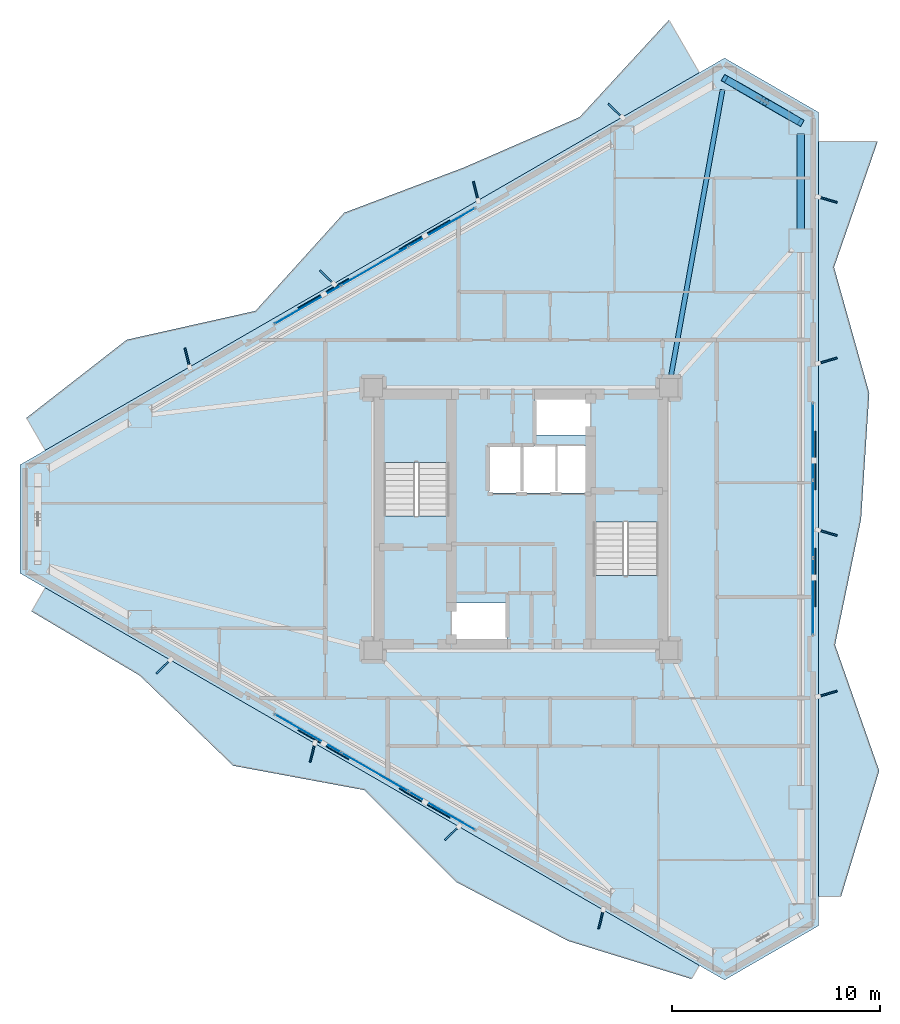
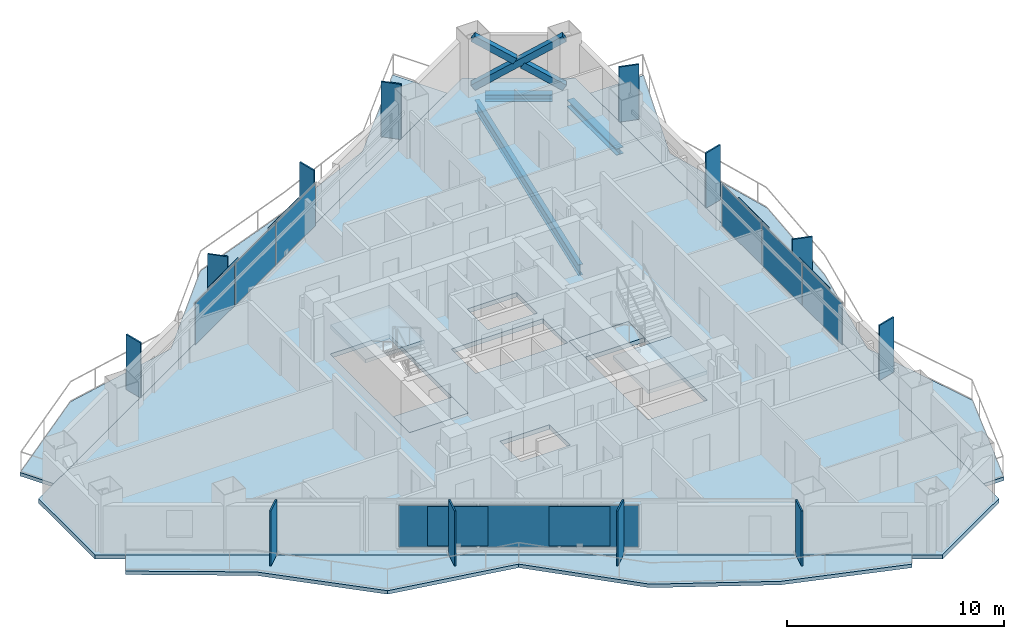
# One storey, part 14 of 22: 27 plates, 8 slabs, 3 beams, 3 members, 5 elements without a shape of their own.
"""IFC4 building model written with IfcOpenShell, lengths in metres."""

from ifc_helpers import new_model, si_unit, direction, frame, origin, origin_2d, place, context, subcontext, project, spatial, polyline, rectangle, hollow_rectangle, i_section, outline, extrude, material, layer, layer_set, material_profile, profile_set, type_object, element, aggregate, save


model = new_model("IFC4")

# Units and contexts
model_context = context("Model", 3, precision=1e-05, world=origin(), true_north=direction((0.0, 1.0)))
body_context = subcontext(model_context, "Body", "Model", "MODEL_VIEW")
ifc_project = project(units=[si_unit("LENGTHUNIT", "METRE"), si_unit("AREAUNIT", "SQUARE_METRE"), si_unit("VOLUMEUNIT", "CUBIC_METRE"), si_unit("PLANEANGLEUNIT", "RADIAN"), si_unit("MASSUNIT", "GRAM", prefix="KILO")], contexts=[model_context])

# Site, building, storey
site_placement = place(None, origin())
site = spatial("IfcSite", under=ifc_project, at=site_placement, CompositionType="ELEMENT")
building_placement = place(site_placement, origin())
building = spatial("IfcBuilding", under=site, at=building_placement, Name="Mersakhor Tower and Convention Hall", CompositionType="ELEMENT")
storey_placement = place(building_placement, frame((0.0, 0.0, 90.0)))
storey = spatial("IfcBuildingStorey", under=building, at=storey_placement, Name="L24", CompositionType="ELEMENT", Elevation=90.0)

# Beams
ifc_material_1 = material(Name="Steel S355", Category="steel")
ifc_material_profile_1 = material_profile(ifc_material_1, i_section(OverallWidth=0.22900390625, OverallDepth=0.6123046875, WebThickness=0.011962890625, FlangeThickness=0.01953125, at=origin_2d()), Name="UB 610x229x125")
ifc_profile_set_1 = profile_set([ifc_material_profile_1], Name="Steel S355")
beam_type_1 = type_object("IfcBeamType", Name="BM-PR-610", PredefinedType="BEAM", material=ifc_profile_set_1)
beam_1_placement = place(storey_placement, frame((36.17626953125, 33.47314453125, -0.55615234375), z_axis=(0.177414716723, 0.984136178732, 0.0), x_axis=(-0.984136178732, 0.177414716723, 0.0)))
element("IfcBeam", 1, at=beam_1_placement, inside=storey, type_object=beam_type_1, Name="L24 Primary Floor Girder FG-2", PredefinedType="BEAM", context=body_context, shape_type="SweptSolid", body=[
    extrude(i_section(OverallWidth=0.22900390625, OverallDepth=0.6123046875, WebThickness=0.011962890625, FlangeThickness=0.01953125, at=origin_2d()), origin(), (0.0, 0.0, 1.0), 14.11328125),
])
ifc_material_2 = material(Name="Steel S355", Category="steel")
ifc_material_profile_2 = material_profile(ifc_material_2, i_section(OverallWidth=0.374755859375, OverallDepth=0.37451171875, WebThickness=0.0166015625, FlangeThickness=0.027099609375, at=origin_2d()), Name="UC 356x368x202")
ifc_profile_set_2 = profile_set([ifc_material_profile_2], Name="Steel S355")
beam_type_2 = type_object("IfcBeamType", Name="BM-SPD-UC356", PredefinedType="SPANDREL", material=ifc_profile_set_2)
beam_2_placement = place(storey_placement, frame((39.25927734375, 47.631103515625, -0.437255859375), z_axis=(0.866052319632, -0.499953377486, 0.0), x_axis=(0.499953377486, 0.866052319632, 0.0)))
element("IfcBeam", 2, at=beam_2_placement, inside=storey, type_object=beam_type_2, Name="L24 Perimeter Spandrel Beam SPB-04", PredefinedType="SPANDREL", context=body_context, shape_type="SweptSolid", body=[
    extrude(i_section(OverallWidth=0.374755859375, OverallDepth=0.37451171875, WebThickness=0.0166015625, FlangeThickness=0.027099609375, at=origin_2d()), origin(), (0.0, 0.0, 1.0), 3.111572265625),
])
beam_3_placement = place(storey_placement, frame((42.4345703125, 45.242919921875, -0.437255859375), z_axis=(0.0, -1.0, 0.0), x_axis=(1.0, 0.0, 0.0)))
element("IfcBeam", 3, at=beam_3_placement, inside=storey, type_object=beam_type_2, Name="L24 Perimeter Spandrel Beam SPB-05", PredefinedType="SPANDREL", context=body_context, shape_type="SweptSolid", body=[
    extrude(i_section(OverallWidth=0.374755859375, OverallDepth=0.37451171875, WebThickness=0.0166015625, FlangeThickness=0.027099609375, at=origin_2d()), origin(), (0.0, 0.0, 1.0), 4.566162109375),
])

# Members
ifc_material_3 = material(Name="Steel S460", Category="steel")
ifc_material_profile_3 = material_profile(ifc_material_3, hollow_rectangle(XDim=0.35009765625, YDim=0.35009765625, WallThickness=0.02001953125, at=origin_2d()), Name="SHS 350x350x20")
ifc_profile_set_3 = profile_set([ifc_material_profile_3], Name="Steel S460")
member_type = type_object("IfcMemberType", Name="MB-BRC-SHS350", PredefinedType="BRACE", material=ifc_profile_set_3)
member_1_placement = place(storey_placement, frame((38.77880859375, 47.90869140625, 0.14990234375), z_axis=(0.725633725484, -0.418933054415, 0.545848689986), x_axis=(0.49998946241, 0.866031487579, 0.0)))
element("IfcMember", 4, at=member_1_placement, inside=storey, type_object=member_type, Name="L24 Chamfer Braced Frame Diagonal CB-1A", PredefinedType="BRACE", context=body_context, shape_type="SweptSolid", body=[
    extrude(hollow_rectangle(XDim=0.35009765625, YDim=0.35009765625, WallThickness=0.02001953125, at=origin_2d()), origin(), (0.0, 0.0, 1.0), 5.0380859375),
])
member_2_placement = place(storey_placement, frame((42.4345703125, 45.798095703125, 0.14990234375), z_axis=(-0.725643177862, 0.418862922102, 0.545889943955), x_axis=(-0.499921796684, -0.866070549782, 0.0)))
element("IfcMember", 5, at=member_2_placement, inside=storey, type_object=member_type, Name="L24 Chamfer Braced Frame Diagonal CB-1B Lower Half", PredefinedType="BRACE", context=body_context, shape_type="SweptSolid", body=[
    extrude(hollow_rectangle(XDim=0.35009765625, YDim=0.35009765625, WallThickness=0.02001953125, at=origin_2d()), origin(), (0.0, 0.0, 1.0), 2.31982421875),
])
member_3_placement = place(storey_placement, frame((40.4619140625, 46.93701171875, 1.6337890625), z_axis=(-0.725635037856, 0.418918980369, 0.545857746783), x_axis=(-0.499976186015, -0.866039152359, 0.0)))
element("IfcMember", 6, at=member_3_placement, inside=storey, type_object=member_type, Name="L24 Chamfer Braced Frame Diagonal CB-1B Upper Half", PredefinedType="BRACE", context=body_context, shape_type="SweptSolid", body=[
    extrude(hollow_rectangle(XDim=0.35009765625, YDim=0.35009765625, WallThickness=0.02001953125, at=origin_2d()), origin(), (0.0, 0.0, 1.0), 2.319580078125),
])

# Curtain wall, plates
ifc_material_4 = material(Name="Dark solar low-E aluminium curtain wall", Category="aluminium")
ifc_layer_1 = layer(ifc_material_4, 0.159912109375)
ifc_layer_set_1 = layer_set([ifc_layer_1], Name="Dark solar low-E aluminium curtain wall")
curtain_wall_type = type_object("IfcCurtainWallType", Name="CW-SYS-01", PredefinedType="USERDEFINED", material=ifc_layer_set_1)
curtain_wall_1_placement = place(storey_placement, origin())
curtain_wall_1 = element("IfcCurtainWall", 7, at=curtain_wall_1_placement, inside=storey, type_object=curtain_wall_type, Name="L24 Dark-Glass Curtain Wall F1-B2", ObjectType="CURTAIN WALL", PredefinedType="USERDEFINED")
ifc_material_5 = material(Name="Dark solar double glazing", Category="glass")
ifc_layer_2 = layer(ifc_material_5, 0.02392578125)
ifc_layer_set_2 = layer_set([ifc_layer_2], Name="Dark solar double glazing")
plate_type_1 = type_object("IfcPlateType", Name="CWP-GLZ-24", PredefinedType="CURTAIN_PANEL", material=ifc_layer_set_2)
plate_1_placement = place(storey_placement, frame((18.75732421875, 37.042236328125, 0.260009765625), z_axis=(0.0, 0.0, 1.0), x_axis=(0.866026613339, 0.499997904985, 0.0)))
plate_1 = element("IfcPlate", 8, at=plate_1_placement, type_object=plate_type_1, Name="CW-01 panel 1.1", PredefinedType="CURTAIN_PANEL", context=body_context, shape_type="SweptSolid", body=[
    extrude(rectangle(XDim=3.630615234375, YDim=0.02392578125, at=origin_2d()), origin(), (0.0, 0.0, 1.0), 2.35009765625),
])
plate_2_placement = place(storey_placement, frame((21.982666015625, 38.904296875, 0.260009765625), z_axis=(0.0, 0.0, 1.0), x_axis=(0.866026613339, 0.499997904985, 0.0)))
plate_2 = element("IfcPlate", 9, at=plate_2_placement, type_object=plate_type_1, Name="CW-01 panel 2.1", PredefinedType="CURTAIN_PANEL", context=body_context, shape_type="SweptSolid", body=[
    extrude(rectangle(XDim=3.668212890625, YDim=0.02392578125, at=origin_2d()), origin(), (0.0, 0.0, 1.0), 2.35009765625),
])
plate_3_placement = place(storey_placement, frame((25.2080078125, 40.7666015625, 0.260009765625), z_axis=(0.0, 0.0, 1.0), x_axis=(0.866026613339, 0.499997904985, 0.0)))
plate_3 = element("IfcPlate", 10, at=plate_3_placement, type_object=plate_type_1, Name="CW-01 panel 3.1", PredefinedType="CURTAIN_PANEL", context=body_context, shape_type="SweptSolid", body=[
    extrude(rectangle(XDim=3.630615234375, YDim=0.02392578125, at=origin_2d()), origin(), (0.0, 0.0, 1.0), 2.35009765625),
])
aggregate(curtain_wall_1, [plate_1, plate_2, plate_3])

curtain_wall_2_placement = place(storey_placement, origin())
curtain_wall_2 = element("IfcCurtainWall", 11, at=curtain_wall_2_placement, inside=storey, type_object=curtain_wall_type, Name="L24 Dark-Glass Curtain Wall F2-B2", ObjectType="CURTAIN WALL", PredefinedType="USERDEFINED")
plate_4_placement = place(storey_placement, frame((43.03466796875, 30.474365234375, 0.260009765625), z_axis=(0.0, 0.0, 1.0), x_axis=(0.0, -1.0, 0.0)))
plate_4 = element("IfcPlate", 12, at=plate_4_placement, type_object=plate_type_1, Name="CW-01 panel 1.1", PredefinedType="CURTAIN_PANEL", context=body_context, shape_type="SweptSolid", body=[
    extrude(rectangle(XDim=3.630615234375, YDim=0.02392578125, at=origin_2d()), origin(), (0.0, 0.0, 1.0), 2.35009765625),
])
plate_5_placement = place(storey_placement, frame((43.03466796875, 26.75, 0.260009765625), z_axis=(0.0, 0.0, 1.0), x_axis=(0.0, -1.0, 0.0)))
plate_5 = element("IfcPlate", 13, at=plate_5_placement, type_object=plate_type_1, Name="CW-01 panel 2.1", PredefinedType="CURTAIN_PANEL", context=body_context, shape_type="SweptSolid", body=[
    extrude(rectangle(XDim=3.668212890625, YDim=0.02392578125, at=origin_2d()), origin(), (0.0, 0.0, 1.0), 2.35009765625),
])
plate_6_placement = place(storey_placement, frame((43.03466796875, 23.025634765625, 0.260009765625), z_axis=(0.0, 0.0, 1.0), x_axis=(0.0, -1.0, 0.0)))
plate_6 = element("IfcPlate", 14, at=plate_6_placement, type_object=plate_type_1, Name="CW-01 panel 3.1", PredefinedType="CURTAIN_PANEL", context=body_context, shape_type="SweptSolid", body=[
    extrude(rectangle(XDim=3.630615234375, YDim=0.02392578125, at=origin_2d()), origin(), (0.0, 0.0, 1.0), 2.35009765625),
])
aggregate(curtain_wall_2, [plate_4, plate_5, plate_6])

curtain_wall_3_placement = place(storey_placement, origin())
curtain_wall_3 = element("IfcCurtainWall", 15, at=curtain_wall_3_placement, inside=storey, type_object=curtain_wall_type, Name="L24 Dark-Glass Curtain Wall F3-B2", ObjectType="CURTAIN WALL", PredefinedType="USERDEFINED")
plate_7_placement = place(storey_placement, frame((25.2080078125, 12.7333984375, 0.260009765625), z_axis=(0.0, 0.0, 1.0), x_axis=(-0.866026613339, 0.499997904985, 0.0)))
plate_7 = element("IfcPlate", 16, at=plate_7_placement, type_object=plate_type_1, Name="CW-01 panel 1.1", PredefinedType="CURTAIN_PANEL", context=body_context, shape_type="SweptSolid", body=[
    extrude(rectangle(XDim=3.630615234375, YDim=0.02392578125, at=origin_2d()), origin(), (0.0, 0.0, 1.0), 2.35009765625),
])
plate_8_placement = place(storey_placement, frame((21.982666015625, 14.595703125, 0.260009765625), z_axis=(0.0, 0.0, 1.0), x_axis=(-0.866026613339, 0.499997904985, 0.0)))
plate_8 = element("IfcPlate", 17, at=plate_8_placement, type_object=plate_type_1, Name="CW-01 panel 2.1", PredefinedType="CURTAIN_PANEL", context=body_context, shape_type="SweptSolid", body=[
    extrude(rectangle(XDim=3.668212890625, YDim=0.02392578125, at=origin_2d()), origin(), (0.0, 0.0, 1.0), 2.35009765625),
])
plate_9_placement = place(storey_placement, frame((18.75732421875, 16.457763671875, 0.260009765625), z_axis=(0.0, 0.0, 1.0), x_axis=(-0.866026613339, 0.499997904985, 0.0)))
plate_9 = element("IfcPlate", 18, at=plate_9_placement, type_object=plate_type_1, Name="CW-01 panel 3.1", PredefinedType="CURTAIN_PANEL", context=body_context, shape_type="SweptSolid", body=[
    extrude(rectangle(XDim=3.630615234375, YDim=0.02392578125, at=origin_2d()), origin(), (0.0, 0.0, 1.0), 2.35009765625),
])
aggregate(curtain_wall_3, [plate_7, plate_8, plate_9])

# Plates
ifc_material_6 = material(Name="Ceramic-clad aluminium Zone 2 emerald-teal", Category="aluminium")
ifc_material_7 = material(Name="Ceramic-clad aluminium Zone 1 cobalt-slate", Category="masonry")
ifc_layer_3 = layer(ifc_material_7, 0.080078125)
ifc_layer_set_3 = layer_set([ifc_layer_3], Name="Ceramic-clad aluminium Zone 1 cobalt-slate")
plate_type_2 = type_object("IfcPlateType", Name="PL-FIN-80", PredefinedType="USERDEFINED", material=ifc_layer_set_3)
for number, where, z_axis, x_axis, name in (
    (19, (12.972412109375, 34.4951171875, 0.0), (0.0, 0.0, 1.0), (-0.2419218956, 0.970295726276, 0.0), "L24 Zone 2 Coloured Brise-Soleil Fin F1-1"),
    (20, (19.673828125, 38.364013671875, 0.0), (0.0, 0.0, 1.0), (-0.719339800339, 0.694658370459, 0.0), "L24 Zone 2 Coloured Brise-Soleil Fin F1-2"),
    (21, (26.828857421875, 42.4951171875, 0.0), (0.0, 0.0, 1.0), (-0.2419218956, 0.970295726276, 0.0), "L24 Zone 2 Coloured Brise-Soleil Fin F1-3"),
    (22, (33.5302734375, 46.364013671875, 0.0), (0.0, 0.0, 1.0), (-0.719339800339, 0.694658370459, 0.0), "L24 Zone 2 Coloured Brise-Soleil Fin F1-4"),
    (23, (43.72119140625, 42.091064453125, 0.0), (0.0, 0.0, 1.0), (0.961261695938, -0.275637355817, 0.0), "L24 Zone 2 Coloured Brise-Soleil Fin F2-1"),
    (24, (43.72119140625, 34.35302734375, 0.0), (0.0, 0.0, 1.0), (0.961261695938, 0.275637355817, 0.0), "L24 Zone 2 Coloured Brise-Soleil Fin F2-2"),
    (25, (43.72119140625, 26.091064453125, 0.0), (0.0, 0.0, 1.0), (0.961261695938, -0.275637355817, 0.0), "L24 Zone 2 Coloured Brise-Soleil Fin F2-3"),
    (26, (43.72119140625, 18.35302734375, 0.0), (0.0, 0.0, 1.0), (0.961261695938, 0.275637355817, 0.0), "L24 Zone 2 Coloured Brise-Soleil Fin F2-4"),
    (27, (32.842529296875, 7.532958984375, 0.0), (0.0, 0.0, 1.0), (-0.2419218956, -0.970295726276, 0.0), "L24 Zone 2 Coloured Brise-Soleil Fin F3-1"),
    (28, (25.6875, 11.663818359375, 0.0), (0.0, 0.0, 1.0), (-0.719339800339, -0.694658370459, 0.0), "L24 Zone 2 Coloured Brise-Soleil Fin F3-2"),
    (29, (18.986083984375, 15.532958984375, 0.0), (0.0, 0.0, 1.0), (-0.2419218956, -0.970295726276, 0.0), "L24 Zone 2 Coloured Brise-Soleil Fin F3-3"),
    (30, (11.831298828125, 19.663818359375, 0.0), (0.0, 0.0, 1.0), (-0.719339800339, -0.694658370459, 0.0), "L24 Zone 2 Coloured Brise-Soleil Fin F3-4"),
):
    element("IfcPlate", number, at=place(storey_placement, frame(where, z_axis=z_axis, x_axis=x_axis)), inside=storey, type_object=plate_type_2, material=ifc_material_6, Name=name, ObjectType="FIN", PredefinedType="USERDEFINED", context=body_context, shape_type="SweptSolid", body=[
        extrude(rectangle(XDim=0.949951171875, YDim=0.080078125, at=origin_2d()), origin(), (0.0, 0.0, 1.0), 3.10009765625),
    ])
ifc_material_8 = material(Name="Perforated ceramic cobogo solar screen", Category="aluminium")
ifc_layer_4 = layer(ifc_material_8, 0.048095703125)
ifc_layer_set_4 = layer_set([ifc_layer_4], Name="Perforated ceramic cobogo solar screen")
plate_type_3 = type_object("IfcPlateType", Name="PL-SCR-48", PredefinedType="USERDEFINED", material=ifc_layer_set_4)
for number, where, z_axis, x_axis, name in (
    (31, (19.50439453125, 37.58203125, 0.39990234375), (0.0, 0.0, 1.0), (0.866025403784, 0.5, 0.0), "L24 Perforated Ceramic Solar Screen F1-1"),
    (32, (24.366943359375, 40.389404296875, 0.39990234375), (0.0, 0.0, 1.0), (0.866025403784, 0.5, 0.0), "L24 Perforated Ceramic Solar Screen F1-2"),
    (33, (43.128662109375, 29.557373046875, 0.39990234375), (0.0, 0.0, 1.0), (0.0, -1.0, 0.0), "L24 Perforated Ceramic Solar Screen F2-1"),
    (34, (43.128662109375, 23.942626953125, 0.39990234375), (0.0, 0.0, 1.0), (0.0, -1.0, 0.0), "L24 Perforated Ceramic Solar Screen F2-2"),
    (35, (24.366943359375, 13.110595703125, 0.39990234375), (0.0, 0.0, 1.0), (-0.866025403784, 0.5, 0.0), "L24 Perforated Ceramic Solar Screen F3-1"),
    (36, (19.50439453125, 15.91796875, 0.39990234375), (0.0, 0.0, 1.0), (-0.866025403784, 0.5, 0.0), "L24 Perforated Ceramic Solar Screen F3-2"),
):
    element("IfcPlate", number, at=place(storey_placement, frame(where, z_axis=z_axis, x_axis=x_axis)), inside=storey, type_object=plate_type_3, Name=name, ObjectType="SCREEN", PredefinedType="USERDEFINED", context=body_context, shape_type="SweptSolid", body=[
        extrude(rectangle(XDim=2.800048828125, YDim=0.048095703125, at=origin_2d()), origin(), (0.0, 0.0, 1.0), 2.219970703125),
    ])

# Slabs
ifc_material_9 = material(Name="Concrete C45/55", Category="concrete")
ifc_layer_5 = layer(ifc_material_9, 0.199951171875)
ifc_layer_set_5 = layer_set([ifc_layer_5], Name="Concrete C45/55")
slab_type_1 = type_object("IfcSlabType", Name="SL-BAL-200", PredefinedType="FLOOR", material=ifc_layer_set_5)
slab_1_placement = place(storey_placement, frame((0.0, 0.0, -0.199951171875)))
element("IfcSlab", 37, at=slab_1_placement, inside=storey, type_object=slab_type_1, Name="L24 Sinusoidal Balcony Slab Face 1", PredefinedType="FLOOR", context=body_context, shape_type="SweptSolid", body=[
    extrude(outline(polyline([(6.149169921875, 30.051513671875), (37.56640625, 48.190185546875), (36.106201171875, 50.718994140625), (31.8173828125, 46.05517578125), (26.23779296875, 43.626708984375), (20.507080078125, 41.4599609375), (16.24658203125, 36.747314453125), (10.0654296875, 35.36083984375), (5.2490234375, 31.6103515625), (6.149169921875, 30.051513671875)])), origin(), (0.0, 0.0, 1.0), 0.199951171875),
])
slab_2_placement = place(storey_placement, frame((0.0, 0.0, -0.199951171875)))
element("IfcSlab", 38, at=slab_2_placement, inside=storey, type_object=slab_type_1, Name="L24 Sinusoidal Balcony Slab Face 2", PredefinedType="FLOOR", context=body_context, shape_type="SweptSolid", body=[
    extrude(outline(polyline([(43.28466796875, 44.888671875), (43.28466796875, 8.611328125), (44.369384765625, 8.611328125), (46.20458984375, 14.657470703125), (44.08349609375, 20.703857421875), (45.333740234375, 26.75), (45.727294921875, 32.796142578125), (44.03466796875, 38.842529296875), (46.132568359375, 44.888671875), (43.28466796875, 44.888671875)])), origin(), (0.0, 0.0, 1.0), 0.199951171875),
])
slab_3_placement = place(storey_placement, frame((0.0, 0.0, -0.199951171875)))
element("IfcSlab", 39, at=slab_3_placement, inside=storey, type_object=slab_type_1, Name="L24 Sinusoidal Balcony Slab Face 3", PredefinedType="FLOOR", context=body_context, shape_type="SweptSolid", body=[
    extrude(outline(polyline([(37.56640625, 5.309814453125), (6.149169921875, 23.448486328125), (5.492919921875, 22.311767578125), (10.694091796875, 19.228515625), (15.177001953125, 14.900390625), (21.482666015625, 13.7294921875), (25.91064453125, 9.306396484375), (31.262939453125, 6.484619140625), (37.190185546875, 4.658447265625), (37.56640625, 5.309814453125)])), origin(), (0.0, 0.0, 1.0), 0.199951171875),
])
ifc_material_10 = material(Name="Concrete C40/50", Category="concrete")
ifc_layer_6 = layer(ifc_material_10, 0.25)
ifc_layer_set_6 = layer_set([ifc_layer_6], Name="Concrete C40/50")
slab_type_2 = type_object("IfcSlabType", Name="SL-FLR-250", PredefinedType="FLOOR", material=ifc_layer_set_6)
slab_4_placement = place(storey_placement, frame((0.0, 0.0, -0.25)))
element("IfcSlab", 40, at=slab_4_placement, inside=storey, type_object=slab_type_2, Name="L24 ST-1 Structural Stair Floor Landing", PredefinedType="LANDING", context=body_context, shape_type="SweptSolid", body=[
    extrude(outline(polyline([(25.550048828125, 25.39990234375), (25.550048828125, 26.89990234375), (22.39990234375, 26.89990234375), (22.39990234375, 25.39990234375), (25.550048828125, 25.39990234375)])), origin(), (0.0, 0.0, 1.0), 0.25),
])
slab_5_placement = place(storey_placement, frame((0.0, 0.0, -0.25)))
element("IfcSlab", 41, at=slab_5_placement, inside=storey, type_object=slab_type_2, Name="L24 ST-2 Structural Stair Floor Landing", PredefinedType="LANDING", context=body_context, shape_type="SweptSolid", body=[
    extrude(outline(polyline([(32.449951171875, 28.10009765625), (32.449951171875, 26.60009765625), (35.60009765625, 26.60009765625), (35.60009765625, 28.10009765625), (32.449951171875, 28.10009765625)])), origin(), (0.0, 0.0, 1.0), 0.25),
])
slab_6_placement = place(storey_placement, frame((0.0, 0.0, -0.25)))
element("IfcSlab", 42, at=slab_6_placement, inside=storey, type_object=slab_type_2, Name="Tower L24 Structural Floor Slab", PredefinedType="FLOOR", context=body_context, shape_type="SweptSolid", body=[
    extrude(outline(polyline([(4.936767578125, 29.3515625), (38.77880859375, 48.89013671875), (43.28466796875, 46.288818359375), (43.28466796875, 7.211181640625), (38.77880859375, 4.60986328125), (4.936767578125, 24.1484375), (4.936767578125, 29.3515625)]), holes=[polyline([(25.550048828125, 25.39990234375), (25.550048828125, 32.699951171875), (22.39990234375, 32.699951171875), (22.39990234375, 25.39990234375), (25.550048828125, 25.39990234375)]), polyline([(32.449951171875, 28.10009765625), (32.449951171875, 20.800048828125), (35.60009765625, 20.800048828125), (35.60009765625, 28.10009765625), (32.449951171875, 28.10009765625)]), polyline([(25.679931640625, 20.820068359375), (25.679931640625, 22.719970703125), (28.320068359375, 22.719970703125), (28.320068359375, 20.820068359375), (25.679931640625, 20.820068359375)]), polyline([(29.679931640625, 30.780029296875), (29.679931640625, 32.679931640625), (32.320068359375, 32.679931640625), (32.320068359375, 30.780029296875), (29.679931640625, 30.780029296875)]), polyline([(27.429931640625, 28.0), (27.429931640625, 30.25), (32.320068359375, 30.25), (32.320068359375, 28.0), (27.429931640625, 28.0)])]), origin(), (0.0, 0.0, 1.0), 0.25),
])

# Stair, slab
ifc_material_11 = material(Name="Concrete C45/55", Category="concrete")
stair_type = type_object("IfcStairType", Name="ST-TWR-20R", PredefinedType="HALF_TURN_STAIR", material=ifc_material_11)
stair_1_placement = place(storey_placement, origin())
stair_1 = element("IfcStair", 43, at=stair_1_placement, inside=storey, type_object=stair_type, Name="L24 Tower Protected Exit Stair ST-1", PredefinedType="HALF_TURN_STAIR")
ifc_material_12 = material(Name="Concrete C45/55", Category="concrete")
ifc_layer_7 = layer(ifc_material_12, 0.199951171875)
ifc_layer_set_7 = layer_set([ifc_layer_7], Name="Concrete C45/55")
slab_type_3 = type_object("IfcSlabType", Name="SL-LAND-200", PredefinedType="LANDING", material=ifc_layer_set_7)
slab_7_placement = place(storey_placement, frame((0.0, 0.0, 1.449951171875)))
slab_7 = element("IfcSlab", 44, at=slab_7_placement, type_object=slab_type_3, Name="ST-1 landing 1", PredefinedType="LANDING", context=body_context, shape_type="SweptSolid", body=[
    extrude(outline(polyline([(25.550048828125, 29.465087890625), (25.550048828125, 32.699951171875), (22.39990234375, 32.699951171875), (22.39990234375, 29.465087890625), (25.550048828125, 29.465087890625)])), origin(), (0.0, 0.0, 1.0), 0.199951171875),
])
aggregate(stair_1, [slab_7])

stair_2_placement = place(storey_placement, origin())
stair_2 = element("IfcStair", 45, at=stair_2_placement, inside=storey, type_object=stair_type, Name="L24 Tower Protected Exit Stair ST-2", PredefinedType="HALF_TURN_STAIR")
slab_8_placement = place(storey_placement, frame((0.0, 0.0, 1.449951171875)))
slab_8 = element("IfcSlab", 46, at=slab_8_placement, type_object=slab_type_3, Name="ST-2 landing 1", PredefinedType="LANDING", context=body_context, shape_type="SweptSolid", body=[
    extrude(outline(polyline([(32.449951171875, 24.034912109375), (32.449951171875, 20.800048828125), (35.60009765625, 20.800048828125), (35.60009765625, 24.034912109375), (32.449951171875, 24.034912109375)])), origin(), (0.0, 0.0, 1.0), 0.199951171875),
])
aggregate(stair_2, [slab_8])

save(model, "model.ifc")
